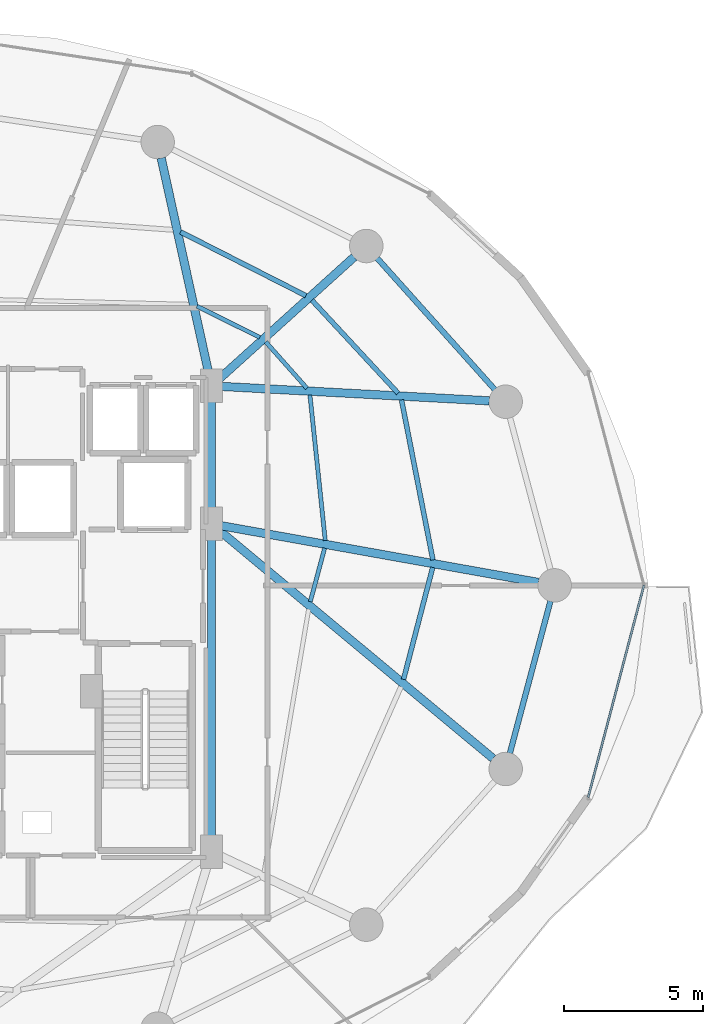
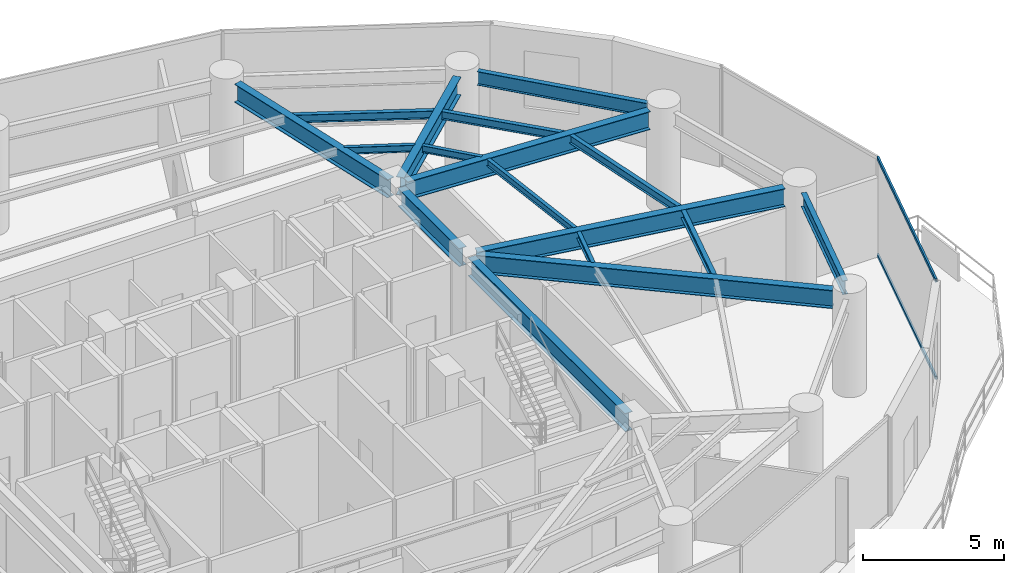
# One storey, part 13 of 27: 17 beams, 2 members, 1 element without a shape of its own.
"""IFC4 building model written with IfcOpenShell, lengths in metres."""

from ifc_helpers import new_model, si_unit, direction, frame, origin, origin_2d, place, context, subcontext, project, spatial, hollow_rectangle, i_section, extrude, material, material_profile, profile_set, type_object, element, aggregate, save


model = new_model("IFC4")

# Units and contexts
model_context = context("Model", 3, precision=1e-05, world=origin(), true_north=direction((0.0, 1.0)))
body_context = subcontext(model_context, "Body", "Model", "MODEL_VIEW")
ifc_project = project(units=[si_unit("LENGTHUNIT", "METRE"), si_unit("AREAUNIT", "SQUARE_METRE"), si_unit("VOLUMEUNIT", "CUBIC_METRE"), si_unit("PLANEANGLEUNIT", "RADIAN"), si_unit("MASSUNIT", "GRAM", prefix="KILO")], contexts=[model_context])

# Site, building, storey
site_placement = place(None, origin())
site = spatial("IfcSite", under=ifc_project, at=site_placement, CompositionType="ELEMENT")
building_placement = place(site_placement, origin())
building = spatial("IfcBuilding", under=site, at=building_placement, Name="Vorneva Point Tower", CompositionType="ELEMENT")
storey_placement = place(building_placement, frame((0.0, 0.0, 74.300048828125)))
storey = spatial("IfcBuildingStorey", under=building, at=storey_placement, Name="L19", CompositionType="ELEMENT", Elevation=74.300048828125)

# Beams
ifc_material_1 = material(Name="Steel S355", Category="steel")
ifc_material_profile_1 = material_profile(ifc_material_1, i_section(OverallWidth=0.300048828125, OverallDepth=0.7880859375, WebThickness=0.014404296875, FlangeThickness=0.02197265625, at=origin_2d()), Name="80Sh1")
ifc_profile_set_1 = profile_set([ifc_material_profile_1], Name="Steel S355")
beam_type_1 = type_object("IfcBeamType", Name="BM-GRD-80Sh1", PredefinedType="USERDEFINED", material=ifc_profile_set_1)
beam_1_placement = place(storey_placement, frame((60.47119140625, 26.103515625, 3.845947265625), z_axis=(-0.984377835859, 0.176068953167, 0.0), x_axis=(-0.176068953167, -0.984377835859, 0.0)))
element("IfcBeam", 1, at=beam_1_placement, inside=storey, type_object=beam_type_1, Name="L19 Radial Primary Girder 01", ObjectType="GIRDER", PredefinedType="USERDEFINED", context=body_context, shape_type="SweptSolid", body=[
    extrude(i_section(OverallWidth=0.300048828125, OverallDepth=0.7880859375, WebThickness=0.014404296875, FlangeThickness=0.02197265625, at=origin_2d()), origin(), (0.0, 0.0, 1.0), 11.567138671875),
])
beam_2_placement = place(storey_placement, frame((58.708251953125, 32.61376953125, 3.845947265625), z_axis=(-0.998554026855, 0.053757375779, 0.0), x_axis=(-0.053757375779, -0.998554026855, 0.0)))
element("IfcBeam", 2, at=beam_2_placement, inside=storey, type_object=beam_type_1, Name="L19 Radial Primary Girder 02", ObjectType="GIRDER", PredefinedType="USERDEFINED", context=body_context, shape_type="SweptSolid", body=[
    extrude(i_section(OverallWidth=0.300048828125, OverallDepth=0.7880859375, WebThickness=0.014404296875, FlangeThickness=0.02197265625, at=origin_2d()), origin(), (0.0, 0.0, 1.0), 9.632568359375),
])
beam_3_placement = place(storey_placement, frame((53.862548828125, 37.76806640625, 3.845947265625), z_axis=(-0.742091876388, -0.670298177678, 0.0), x_axis=(0.670298177678, -0.742091876388, 0.0)))
element("IfcBeam", 3, at=beam_3_placement, inside=storey, type_object=beam_type_1, Name="L19 Radial Primary Girder 03", ObjectType="GIRDER", PredefinedType="USERDEFINED", context=body_context, shape_type="SweptSolid", body=[
    extrude(i_section(OverallWidth=0.300048828125, OverallDepth=0.7880859375, WebThickness=0.014404296875, FlangeThickness=0.02197265625, at=origin_2d()), origin(), (0.0, 0.0, 1.0), 6.549560546875),
])
beam_4_placement = place(storey_placement, frame((46.947509765625, 41.31640625, 3.845947265625), z_axis=(0.215535114008, -0.976496090432, 0.0), x_axis=(0.976496090432, 0.215535114008, 0.0)))
element("IfcBeam", 4, at=beam_4_placement, inside=storey, type_object=beam_type_1, Name="L19 Radial Primary Girder 04", ObjectType="GIRDER", PredefinedType="USERDEFINED", context=body_context, shape_type="SweptSolid", body=[
    extrude(i_section(OverallWidth=0.300048828125, OverallDepth=0.7880859375, WebThickness=0.014404296875, FlangeThickness=0.02197265625, at=origin_2d()), origin(), (0.0, 0.0, 1.0), 8.02294921875),
])
beam_5_placement = place(storey_placement, frame((58.843505859375, 19.794189453125, 3.845947265625), z_axis=(-0.768426120274, 0.63993851086, 0.0), x_axis=(-0.63993851086, -0.768426120274, 0.0)))
element("IfcBeam", 5, at=beam_5_placement, inside=storey, type_object=beam_type_1, Name="L19 Radial Primary Girder 16", ObjectType="GIRDER", PredefinedType="USERDEFINED", context=body_context, shape_type="SweptSolid", body=[
    extrude(i_section(OverallWidth=0.300048828125, OverallDepth=0.7880859375, WebThickness=0.014404296875, FlangeThickness=0.02197265625, at=origin_2d()), origin(), (0.0, 0.0, 1.0), 12.79541015625),
])
beam_6_placement = place(storey_placement, frame((48.75, 16.77001953125, 3.845947265625), z_axis=(0.0, 1.0, 0.0), x_axis=(-1.0, 0.0, 0.0)))
element("IfcBeam", 6, at=beam_6_placement, inside=storey, type_object=beam_type_1, Name="L19 Core Tie Girder CT3", ObjectType="GIRDER", PredefinedType="USERDEFINED", context=body_context, shape_type="SweptSolid", body=[
    extrude(i_section(OverallWidth=0.300048828125, OverallDepth=0.7880859375, WebThickness=0.014404296875, FlangeThickness=0.02197265625, at=origin_2d()), origin(), (0.0, 0.0, 1.0), 11.10986328125),
])
beam_7_placement = place(storey_placement, frame((48.75, 28.52001953125, 3.845947265625), z_axis=(0.0, 1.0, 0.0), x_axis=(-1.0, 0.0, 0.0)))
element("IfcBeam", 7, at=beam_7_placement, inside=storey, type_object=beam_type_1, Name="L19 Core Tie Girder CT4", ObjectType="GIRDER", PredefinedType="USERDEFINED", context=body_context, shape_type="SweptSolid", body=[
    extrude(i_section(OverallWidth=0.300048828125, OverallDepth=0.7880859375, WebThickness=0.014404296875, FlangeThickness=0.02197265625, at=origin_2d()), origin(), (0.0, 0.0, 1.0), 4.31005859375),
])
ifc_material_profile_2 = material_profile(ifc_material_1, i_section(OverallWidth=0.14892578125, OverallDepth=0.298095703125, WebThickness=0.005615234375, FlangeThickness=0.008056640625, at=origin_2d()), Name="30B1")
ifc_profile_set_2 = profile_set([ifc_material_profile_2], Name="Steel S355")
beam_type_2 = type_object("IfcBeamType", Name="BM-JST-30B1", PredefinedType="JOIST", material=ifc_profile_set_2)
beam_8_placement = place(storey_placement, frame((52.827880859375, 27.605224609375, 4.091064453125), z_axis=(-0.10473564704, 0.994500097657, 0.0), x_axis=(-0.994500097657, -0.10473564704, 0.0)))
element("IfcBeam", 8, at=beam_8_placement, inside=storey, type_object=beam_type_2, Name="L19 Secondary Floor Beam 2.01", PredefinedType="JOIST", context=body_context, shape_type="SweptSolid", body=[
    extrude(i_section(OverallWidth=0.14892578125, OverallDepth=0.298095703125, WebThickness=0.005615234375, FlangeThickness=0.008056640625, at=origin_2d()), origin(), (0.0, 0.0, 1.0), 5.2470703125),
])
beam_9_placement = place(storey_placement, frame((52.172119140625, 33.06396484375, 4.091064453125), z_axis=(-0.664193156739, 0.747561001218, 0.0), x_axis=(-0.747561001218, -0.664193156739, 0.0)))
element("IfcBeam", 9, at=beam_9_placement, inside=storey, type_object=beam_type_2, Name="L19 Secondary Floor Beam 2.02", PredefinedType="JOIST", context=body_context, shape_type="SweptSolid", body=[
    extrude(i_section(OverallWidth=0.14892578125, OverallDepth=0.298095703125, WebThickness=0.005615234375, FlangeThickness=0.008056640625, at=origin_2d()), origin(), (0.0, 0.0, 1.0), 2.2197265625),
])
beam_10_placement = place(storey_placement, frame((50.482666015625, 34.887939453125, 4.091064453125), z_axis=(-0.895743418805, 0.444571397716, 0.0), x_axis=(-0.444571397716, -0.895743418805, 0.0)))
element("IfcBeam", 10, at=beam_10_placement, inside=storey, type_object=beam_type_2, Name="L19 Secondary Floor Beam 2.03", PredefinedType="JOIST", context=body_context, shape_type="SweptSolid", body=[
    extrude(i_section(OverallWidth=0.14892578125, OverallDepth=0.298095703125, WebThickness=0.005615234375, FlangeThickness=0.008056640625, at=origin_2d()), origin(), (0.0, 0.0, 1.0), 2.51513671875),
])
beam_11_placement = place(storey_placement, frame((52.291748046875, 25.41357421875, 4.091064453125), z_axis=(0.258762673629, 0.965940929217, 0.0), x_axis=(-0.965940929217, 0.258762673629, 0.0)))
element("IfcBeam", 11, at=beam_11_placement, inside=storey, type_object=beam_type_2, Name="L19 Secondary Floor Beam 2.16", PredefinedType="JOIST", context=body_context, shape_type="SweptSolid", body=[
    extrude(i_section(OverallWidth=0.14892578125, OverallDepth=0.298095703125, WebThickness=0.005615234375, FlangeThickness=0.008056640625, at=origin_2d()), origin(), (0.0, 0.0, 1.0), 1.98876953125),
])
ifc_material_profile_3 = material_profile(ifc_material_1, i_section(OverallWidth=0.174072265625, OverallDepth=0.345947265625, WebThickness=0.006103515625, FlangeThickness=0.009033203125, at=origin_2d()), Name="35B1")
ifc_profile_set_3 = profile_set([ifc_material_profile_3], Name="Steel S355")
beam_type_3 = type_object("IfcBeamType", Name="BM-SEC-35B1", PredefinedType="BEAM", material=ifc_profile_set_3)
beam_12_placement = place(storey_placement, frame((56.68701171875, 26.910888671875, 4.06689453125), z_axis=(-0.192582360824, 0.981280813172, 0.0), x_axis=(-0.981280813172, -0.192582360824, 0.0)))
element("IfcBeam", 12, at=beam_12_placement, inside=storey, type_object=beam_type_3, Name="L19 Secondary Floor Beam 1.01", PredefinedType="BEAM", context=body_context, shape_type="SweptSolid", body=[
    extrude(i_section(OverallWidth=0.174072265625, OverallDepth=0.345947265625, WebThickness=0.006103515625, FlangeThickness=0.009033203125, at=origin_2d()), origin(), (0.0, 0.0, 1.0), 5.847900390625),
])
beam_13_placement = place(storey_placement, frame((55.440185546875, 32.885986328125, 4.06689453125), z_axis=(-0.679725179064, 0.733466891514, 0.0), x_axis=(-0.733466891514, -0.679725179064, 0.0)))
element("IfcBeam", 13, at=beam_13_placement, inside=storey, type_object=beam_type_3, Name="L19 Secondary Floor Beam 1.02", PredefinedType="BEAM", context=body_context, shape_type="SweptSolid", body=[
    extrude(i_section(OverallWidth=0.174072265625, OverallDepth=0.345947265625, WebThickness=0.006103515625, FlangeThickness=0.009033203125, at=origin_2d()), origin(), (0.0, 0.0, 1.0), 4.54296875),
])
beam_14_placement = place(storey_placement, frame((52.135498046875, 36.3818359375, 4.06689453125), z_axis=(-0.891277687474, 0.453457918457, 0.0), x_axis=(-0.453457918457, -0.891277687474, 0.0)))
element("IfcBeam", 14, at=beam_14_placement, inside=storey, type_object=beam_type_3, Name="L19 Secondary Floor Beam 1.03", PredefinedType="BEAM", context=body_context, shape_type="SweptSolid", body=[
    extrude(i_section(OverallWidth=0.174072265625, OverallDepth=0.345947265625, WebThickness=0.006103515625, FlangeThickness=0.009033203125, at=origin_2d()), origin(), (0.0, 0.0, 1.0), 5.042724609375),
])
beam_15_placement = place(storey_placement, frame((55.6337890625, 22.6298828125, 4.06689453125), z_axis=(0.25208389601, 0.967705383561, 0.0), x_axis=(-0.967705383561, 0.25208389601, 0.0)))
element("IfcBeam", 15, at=beam_15_placement, inside=storey, type_object=beam_type_3, Name="L19 Secondary Floor Beam 1.16", PredefinedType="BEAM", context=body_context, shape_type="SweptSolid", body=[
    extrude(i_section(OverallWidth=0.174072265625, OverallDepth=0.345947265625, WebThickness=0.006103515625, FlangeThickness=0.009033203125, at=origin_2d()), origin(), (0.0, 0.0, 1.0), 4.14599609375),
])
ifc_material_profile_4 = material_profile(ifc_material_1, i_section(OverallWidth=0.198974609375, OverallDepth=0.595947265625, WebThickness=0.010009765625, FlangeThickness=0.014892578125, at=origin_2d()), Name="60B1")
ifc_profile_set_4 = profile_set([ifc_material_profile_4], Name="Steel S355")
beam_type_4 = type_object("IfcBeamType", Name="BM-SPN-60B1", PredefinedType="SPANDREL", material=ifc_profile_set_4)
beam_16_placement = place(storey_placement, frame((58.9052734375, 33.01806640625, 3.94189453125), z_axis=(-0.667116603584, 0.744953312109, 0.0), x_axis=(-0.744953312109, -0.667116603584, 0.0)))
element("IfcBeam", 16, at=beam_16_placement, inside=storey, type_object=beam_type_4, Name="L19 Perimeter Spandrel Ring Beam 02", PredefinedType="SPANDREL", context=body_context, shape_type="SweptSolid", body=[
    extrude(i_section(OverallWidth=0.198974609375, OverallDepth=0.595947265625, WebThickness=0.010009765625, FlangeThickness=0.014892578125, at=origin_2d()), origin(), (0.0, 0.0, 1.0), 6.3203125),
])
beam_17_placement = place(storey_placement, frame((59.446044921875, 19.983154296875, 3.94189453125), z_axis=(0.257595318742, 0.96625289224, 0.0), x_axis=(-0.96625289224, 0.257595318742, 0.0)))
element("IfcBeam", 17, at=beam_17_placement, inside=storey, type_object=beam_type_4, Name="L19 Perimeter Spandrel Ring Beam 16", PredefinedType="SPANDREL", context=body_context, shape_type="SweptSolid", body=[
    extrude(i_section(OverallWidth=0.198974609375, OverallDepth=0.595947265625, WebThickness=0.010009765625, FlangeThickness=0.014892578125, at=origin_2d()), origin(), (0.0, 0.0, 1.0), 5.64208984375),
])

# Curtain wall, members
ifc_material_2 = material(Name="Pale anodised aluminium", Category="aluminium")
curtain_wall_type = type_object("IfcCurtainWallType", Name="CW-SKY-SYS", PredefinedType="NOTDEFINED", material=ifc_material_2)
curtain_wall_placement = place(storey_placement, origin())
curtain_wall = element("IfcCurtainWall", 18, at=curtain_wall_placement, inside=storey, type_object=curtain_wall_type, Name="L19 Unitised Curtain Wall CW-L19-R01", PredefinedType="NOTDEFINED")
ifc_material_profile_5 = material_profile(ifc_material_2, hollow_rectangle(XDim=0.074951171875, YDim=0.14990234375, WallThickness=0.00390625, at=origin_2d()), Name="AL-TRN 150x75x4")
ifc_profile_set_5 = profile_set([ifc_material_profile_5], Name="Pale anodised aluminium")
member_type = type_object("IfcMemberType", Name="CW-TRN-150", PredefinedType="USERDEFINED", material=ifc_profile_set_5)
member_1_placement = place(storey_placement, frame((62.251708984375, 18.40380859375, 0.02001953125), z_axis=(0.254409150465, 0.967096677773, 0.0), x_axis=(-0.967096677773, 0.254409150465, 0.0)))
member_1 = element("IfcMember", 19, at=member_1_placement, type_object=member_type, Name="CW-L19-R01 Transom 01.1", ObjectType="TRANSOM", PredefinedType="USERDEFINED", context=body_context, shape_type="SweptSolid", body=[
    extrude(hollow_rectangle(XDim=0.074951171875, YDim=0.14990234375, WallThickness=0.00390625, at=origin_2d()), origin(), (0.0, 0.0, 1.0), 7.854736328125),
])
member_2_placement = place(storey_placement, frame((62.251708984375, 18.40380859375, 4.219970703125), z_axis=(0.254409150465, 0.967096677773, 0.0), x_axis=(-0.967096677773, 0.254409150465, 0.0)))
member_2 = element("IfcMember", 20, at=member_2_placement, type_object=member_type, Name="CW-L19-R01 Transom 01.2", ObjectType="TRANSOM", PredefinedType="USERDEFINED", context=body_context, shape_type="SweptSolid", body=[
    extrude(hollow_rectangle(XDim=0.074951171875, YDim=0.14990234375, WallThickness=0.00390625, at=origin_2d()), origin(), (0.0, 0.0, 1.0), 7.854736328125),
])
aggregate(curtain_wall, [member_1, member_2])

save(model, "model.ifc")
